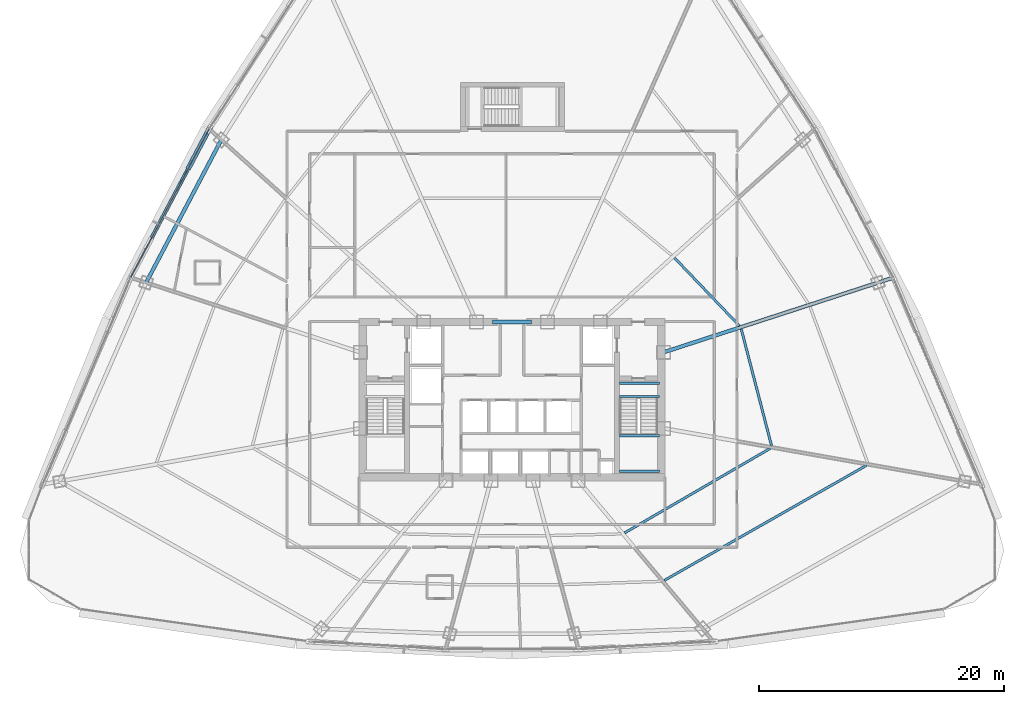
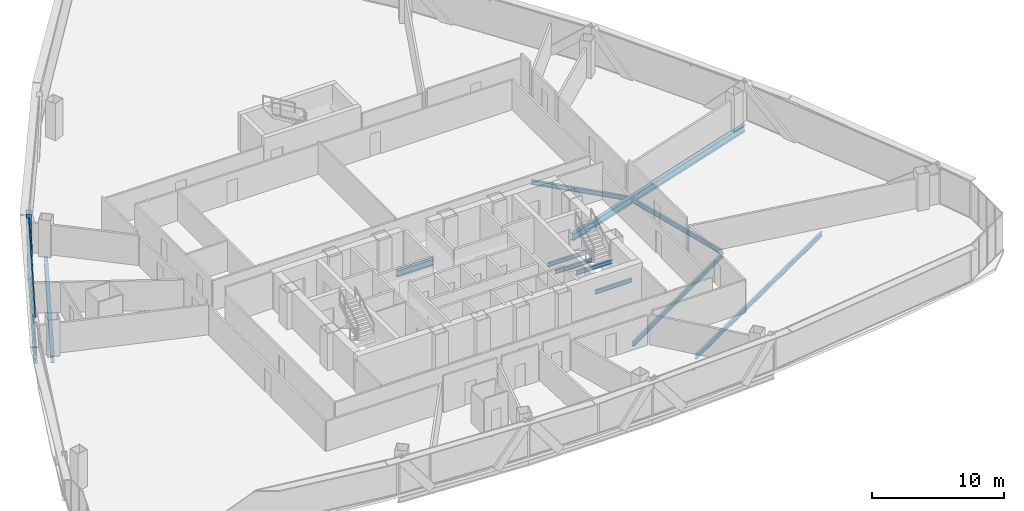
# One storey, part 17 of 41: 12 beams, 3 members, 1 element without a shape of its own.
"""IFC4 building model written with IfcOpenShell, lengths in metres."""

from ifc_helpers import new_model, si_unit, direction, frame, origin, origin_2d, place, context, subcontext, project, spatial, hollow_rectangle, i_section, extrude, source, transform, mapped, material, layer, layer_set, material_profile, profile_set, type_object, element, aggregate, save


model = new_model("IFC4")

# Units and contexts
model_context = context("Model", 3, precision=1e-05, world=origin(), true_north=direction((0.0, 1.0)))
body_context = subcontext(model_context, "Body", "Model", "MODEL_VIEW")
ifc_project = project(units=[si_unit("LENGTHUNIT", "METRE"), si_unit("AREAUNIT", "SQUARE_METRE"), si_unit("VOLUMEUNIT", "CUBIC_METRE"), si_unit("PLANEANGLEUNIT", "RADIAN"), si_unit("MASSUNIT", "GRAM", prefix="KILO"), si_unit("THERMODYNAMICTEMPERATUREUNIT", "KELVIN"), si_unit("POWERUNIT", "WATT")], contexts=[model_context])

# Site, building, storey
site_placement = place(None, origin())
site = spatial("IfcSite", under=ifc_project, at=site_placement, CompositionType="ELEMENT")
building_placement = place(site_placement, origin())
building = spatial("IfcBuilding", under=site, at=building_placement, Name="Yunzhuo Pagoda Commons", CompositionType="ELEMENT")
storey_placement = place(building_placement, frame((0.0, 0.0, 155.590087890625)))
storey = spatial("IfcBuildingStorey", under=building, at=storey_placement, Name="L39", CompositionType="ELEMENT", Elevation=155.590087890625)

# Beams
ifc_material_1 = material(Name="Structural steel Q355B", Category="steel")
ifc_material_profile_1 = material_profile(ifc_material_1, i_section(OverallWidth=0.175048828125, OverallDepth=0.35009765625, WebThickness=0.007080078125, FlangeThickness=0.010986328125, at=origin_2d()), Name="Structural steel Q355B")
ifc_profile_set_1 = profile_set([ifc_material_profile_1], Name="Structural steel Q355B")
beam_type_1 = type_object("IfcBeamType", Name="B-JS2 Joist HN 350x175x7x11", PredefinedType="JOIST", material=ifc_profile_set_1)
shared_shape_1 = source(origin(), body_context, "Body", "SweptSolid", [
    extrude(i_section(OverallWidth=0.175048828125, OverallDepth=0.35009765625, WebThickness=0.007080078125, FlangeThickness=0.010986328125, at=origin_2d()), origin(), (0.0, 0.0, 1.0), 3.25),
])
for number, where, z_axis, x_axis, name in (
    (1, (56.800048828125, 28.0, 1.46484375), (1.0, 0.0, 0.0), (0.0, 1.0, 0.0), "L39 ST2 landing support beam 45A"),
    (2, (56.800048828125, 30.89990234375, 1.46484375), (1.0, 0.0, 0.0), (0.0, 1.0, 0.0), "L39 ST2 landing support beam 45B"),
    (3, (56.800048828125, 34.10009765625, -0.375), (1.0, 0.0, 0.0), (0.0, 1.0, 0.0), "L39 ST2 landing support beam 143A"),
    (4, (56.800048828125, 35.199951171875, -0.375), (1.0, 0.0, 0.0), (0.0, 1.0, 0.0), "L39 ST2 landing support beam 143B"),
):
    element("IfcBeam", number, at=place(storey_placement, frame(where, z_axis=z_axis, x_axis=x_axis)), inside=storey, type_object=beam_type_1, Name=name, PredefinedType="JOIST", context=body_context, shape_type="MappedRepresentation", body=[
        mapped(shared_shape_1, transform((0.0, 0.0, 0.0), scale=1.0)),
    ])
ifc_material_2 = material(Name="Structural steel Q420B", Category="steel")
ifc_material_profile_2 = material_profile(ifc_material_2, i_section(OverallWidth=0.300048828125, OverallDepth=0.587890625, WebThickness=0.011962890625, FlangeThickness=0.02001953125, at=origin_2d()), Name="Structural steel Q420B")
ifc_profile_set_2 = profile_set([ifc_material_profile_2], Name="Structural steel Q420B")
beam_type_2 = type_object("IfcBeamType", Name="B-CPL Beam HM 588x300x12x20", PredefinedType="BEAM", material=ifc_profile_set_2)
shared_shape_2 = source(origin(), body_context, "Body", "SweptSolid", [
    extrude(i_section(OverallWidth=0.300048828125, OverallDepth=0.587890625, WebThickness=0.011962890625, FlangeThickness=0.02001953125, at=origin_2d()), origin(), (0.0, 0.0, 1.0), 3.2001953125),
])
beam_1_placement = place(storey_placement, frame((46.39990234375, 40.199951171875, -0.55419921875), z_axis=(1.0, 0.0, 0.0), x_axis=(0.0, 1.0, 0.0)))
element("IfcBeam", 5, at=beam_1_placement, inside=storey, type_object=beam_type_2, Name="L39 core coupling girder", PredefinedType="BEAM", context=body_context, shape_type="MappedRepresentation", body=[
    mapped(shared_shape_2, transform((0.0, 0.0, 0.0), scale=1.0)),
])
ifc_material_profile_3 = material_profile(ifc_material_1, i_section(OverallWidth=0.199951171875, OverallDepth=0.39990234375, WebThickness=0.008056640625, FlangeThickness=0.012939453125, at=origin_2d()), Name="Structural steel Q355B")
ifc_profile_set_3 = profile_set([ifc_material_profile_3], Name="Structural steel Q355B")
beam_type_3 = type_object("IfcBeamType", Name="B-JS1 Joist HN 400x200x8x13", PredefinedType="JOIST", material=ifc_profile_set_3)
shared_shape_3 = source(origin(), body_context, "Body", "SweptSolid", [
    extrude(i_section(OverallWidth=0.199951171875, OverallDepth=0.39990234375, WebThickness=0.008056640625, FlangeThickness=0.012939453125, at=origin_2d()), origin(), (0.0, 0.0, 1.0), 13.76416015625),
])
beam_2_placement = place(storey_placement, frame((57.2119140625, 22.96533203125, -0.460205078125), z_axis=(0.864967288101, 0.501828248025, 0.0), x_axis=(-0.501828248025, 0.864967288101, 0.0)))
element("IfcBeam", 6, at=beam_2_placement, inside=storey, type_object=beam_type_3, Name="L39 composite ring joist 1.4", PredefinedType="JOIST", context=body_context, shape_type="MappedRepresentation", body=[
    mapped(shared_shape_3, transform((0.0, 0.0, 0.0), scale=1.0)),
])
shared_shape_4 = source(origin(), body_context, "Body", "SweptSolid", [
    extrude(i_section(OverallWidth=0.199951171875, OverallDepth=0.39990234375, WebThickness=0.008056640625, FlangeThickness=0.012939453125, at=origin_2d()), origin(), (0.0, 0.0, 1.0), 19.007568359375),
])
beam_3_placement = place(storey_placement, frame((60.468017578125, 19.08447265625, -0.460205078125), z_axis=(0.869119947472, 0.494601371718, 0.0), x_axis=(-0.494601371718, 0.869119947472, 0.0)))
element("IfcBeam", 7, at=beam_3_placement, inside=storey, type_object=beam_type_3, Name="L39 composite ring joist 2.4", PredefinedType="JOIST", context=body_context, shape_type="MappedRepresentation", body=[
    mapped(shared_shape_4, transform((0.0, 0.0, 0.0), scale=1.0)),
])
shared_shape_5 = source(origin(), body_context, "Body", "SweptSolid", [
    extrude(i_section(OverallWidth=0.199951171875, OverallDepth=0.39990234375, WebThickness=0.008056640625, FlangeThickness=0.012939453125, at=origin_2d()), origin(), (0.0, 0.0, 1.0), 9.8330078125),
])
beam_4_placement = place(storey_placement, frame((69.215087890625, 30.10595703125, -0.460205078125), z_axis=(-0.251166367041, 0.967943932295, 0.0), x_axis=(-0.967943932295, -0.251166367041, 0.0)))
element("IfcBeam", 8, at=beam_4_placement, inside=storey, type_object=beam_type_3, Name="L39 composite ring joist 1.5", PredefinedType="JOIST", context=body_context, shape_type="MappedRepresentation", body=[
    mapped(shared_shape_5, transform((0.0, 0.0, 0.0), scale=1.0)),
])
ifc_material_profile_4 = material_profile(ifc_material_1, i_section(OverallWidth=0.300048828125, OverallDepth=0.64990234375, WebThickness=0.012939453125, FlangeThickness=0.02197265625, at=origin_2d()), Name="Structural steel Q355B")
ifc_profile_set_4 = profile_set([ifc_material_profile_4], Name="Structural steel Q355B")
beam_type_4 = type_object("IfcBeamType", Name="B-RG2 Beam HN 650x300x13x22", PredefinedType="BEAM", material=ifc_profile_set_4)
shared_shape_6 = source(origin(), body_context, "Body", "SweptSolid", [
    extrude(i_section(OverallWidth=0.300048828125, OverallDepth=0.64990234375, WebThickness=0.012939453125, FlangeThickness=0.02197265625, at=origin_2d()), origin(), (0.0, 0.0, 1.0), 13.198974609375),
])
beam_5_placement = place(storey_placement, frame((24.23388671875, 55.09912109375, -0.585205078125), z_axis=(-0.465885937554, -0.884844784801, 0.0), x_axis=(0.884844784801, -0.465885937554, 0.0)))
element("IfcBeam", 9, at=beam_5_placement, inside=storey, type_object=beam_type_4, Name="L39 column-ring beam 10", PredefinedType="BEAM", context=body_context, shape_type="MappedRepresentation", body=[
    mapped(shared_shape_6, transform((0.0, 0.0, 0.0), scale=1.0)),
])
shared_shape_7 = source(origin(), body_context, "Body", "SweptSolid", [
    extrude(i_section(OverallWidth=0.199951171875, OverallDepth=0.39990234375, WebThickness=0.008056640625, FlangeThickness=0.012939453125, at=origin_2d()), origin(), (0.0, 0.0, 1.0), 7.685546875),
])
beam_6_placement = place(storey_placement, frame((66.595703125, 39.892578125, -0.460205078125), z_axis=(-0.690882862648, 0.722966714378, 0.0), x_axis=(-0.722966714378, -0.690882862648, 0.0)))
element("IfcBeam", 10, at=beam_6_placement, inside=storey, type_object=beam_type_3, Name="L39 composite ring joist 1.6", PredefinedType="JOIST", context=body_context, shape_type="MappedRepresentation", body=[
    mapped(shared_shape_7, transform((0.0, 0.0, 0.0), scale=1.0)),
])
shared_shape_8 = source(origin(), body_context, "Body", "SweptSolid", [
    extrude(i_section(OverallWidth=0.300048828125, OverallDepth=0.64990234375, WebThickness=0.012939453125, FlangeThickness=0.02197265625, at=origin_2d()), origin(), (0.0, 0.0, 1.0), 19.594482421875),
])
beam_7_placement = place(storey_placement, frame((79.035400390625, 43.7841796875, -0.585205078125), z_axis=(-0.951054485202, -0.309023245365, 0.0), x_axis=(0.309023245365, -0.951054485202, 0.0)))
element("IfcBeam", 11, at=beam_7_placement, inside=storey, type_object=beam_type_4, Name="L39 radial floor girder F2C2", PredefinedType="BEAM", context=body_context, shape_type="MappedRepresentation", body=[
    mapped(shared_shape_8, transform((0.0, 0.0, 0.0), scale=1.0)),
])
ifc_material_profile_5 = material_profile(ifc_material_1, i_section(OverallWidth=0.300048828125, OverallDepth=0.488037109375, WebThickness=0.010986328125, FlangeThickness=0.01806640625, at=origin_2d()), Name="Structural steel Q355B")
ifc_profile_set_5 = profile_set([ifc_material_profile_5], Name="Structural steel Q355B")
beam_type_5 = type_object("IfcBeamType", Name="B-SP1 Beam HM 488x300x11x18", PredefinedType="BEAM", material=ifc_profile_set_5)
shared_shape_9 = source(origin(), body_context, "Body", "SweptSolid", [
    extrude(i_section(OverallWidth=0.300048828125, OverallDepth=0.488037109375, WebThickness=0.010986328125, FlangeThickness=0.01806640625, at=origin_2d()), origin(), (0.0, 0.0, 1.0), 13.75244140625),
])
beam_8_placement = place(storey_placement, frame((23.244384765625, 55.989990234375, -0.50390625), z_axis=(-0.467350934474, -0.884071888506, 0.0), x_axis=(0.884071888506, -0.467350934474, 0.0)))
element("IfcBeam", 12, at=beam_8_placement, inside=storey, type_object=beam_type_5, Name="L39 facade edge spandrel beam F3.2", PredefinedType="BEAM", context=body_context, shape_type="MappedRepresentation", body=[
    mapped(shared_shape_9, transform((0.0, 0.0, 0.0), scale=1.0)),
])

# Member
ifc_material_profile_6 = material_profile(ifc_material_1, hollow_rectangle(XDim=0.39990234375, YDim=0.719970703125, WallThickness=0.02392578125, at=origin_2d()), Name="Structural steel Q355B")
ifc_profile_set_6 = profile_set([ifc_material_profile_6], Name="Structural steel Q355B")
member_type_1 = type_object("IfcMemberType", Name="M-DL2 Brace BOX 720x400x24", PredefinedType="BRACE", material=ifc_profile_set_6)
shared_shape_10 = source(origin(), body_context, "Body", "SweptSolid", [
    extrude(hollow_rectangle(XDim=0.39990234375, YDim=0.719970703125, WallThickness=0.02392578125, at=origin_2d()), origin(), (0.0, 0.0, 1.0), 5.035888671875),
])
member_1_placement = place(storey_placement, frame((21.6376953125, 52.95068359375, -0.260009765625), z_axis=(0.31904433984, 0.603522714887, 0.730733222066), x_axis=(-0.884071048322, 0.467352523818, 0.0)))
element("IfcMember", 13, at=member_1_placement, inside=storey, type_object=member_type_1, Name="L39 facade diamond brace F3.2L", PredefinedType="BRACE", context=body_context, shape_type="MappedRepresentation", body=[
    mapped(shared_shape_10, transform((0.0, 0.0, 0.0), scale=1.0)),
])

# Curtain wall, members
ifc_material_3 = material(Name="Anodized aluminium 6063-T6", Category="aluminium")
ifc_layer = layer(ifc_material_3, 0.14990234375)
ifc_layer_set = layer_set([ifc_layer], Name="Anodized aluminium 6063-T6")
curtain_wall_type = type_object("IfcCurtainWallType", Name="CW-MID Mid-Zone Ribbon Curtain Wall", PredefinedType="NOTDEFINED", material=ifc_layer_set)
curtain_wall_placement = place(storey_placement, origin())
curtain_wall = element("IfcCurtainWall", 14, at=curtain_wall_placement, inside=storey, type_object=curtain_wall_type, Name="L39 curtain wall CW-L39-F3B3", PredefinedType="NOTDEFINED")
ifc_material_profile_7 = material_profile(ifc_material_3, hollow_rectangle(XDim=0.054931640625, YDim=0.1298828125, WallThickness=0.00341796875, at=origin_2d()), Name="Anodized aluminium 6063-T6")
ifc_profile_set_7 = profile_set([ifc_material_profile_7], Name="Anodized aluminium 6063-T6")
member_type_2 = type_object("IfcMemberType", Name="CW-MID-T Transom RHS 130x55x3.5", PredefinedType="USERDEFINED", material=ifc_profile_set_7)
shared_shape_11 = source(origin(), body_context, "Body", "SweptSolid", [
    extrude(hollow_rectangle(XDim=0.054931640625, YDim=0.1298828125, WallThickness=0.00341796875, at=origin_2d()), origin(), (0.0, 0.0, 1.0), 13.632568359375),
])
member_2_placement = place(storey_placement, frame((23.216552734375, 55.93701171875, 0.02734375), z_axis=(-0.467364316049, -0.884064814414, 0.0), x_axis=(0.884064814414, -0.467364316049, 0.0)))
member_2 = element("IfcMember", 15, at=member_2_placement, type_object=member_type_2, Name="CW transom 1.1", ObjectType="TRANSOM", PredefinedType="USERDEFINED", context=body_context, shape_type="MappedRepresentation", body=[
    mapped(shared_shape_11, transform((0.0, 0.0, 0.0), scale=1.0)),
])
member_3_placement = place(storey_placement, frame((23.216552734375, 55.93701171875, 3.392333984375), z_axis=(-0.467364316049, -0.884064814414, 0.0), x_axis=(0.884064814414, -0.467364316049, 0.0)))
member_3 = element("IfcMember", 16, at=member_3_placement, type_object=member_type_2, Name="CW transom 1.2", ObjectType="TRANSOM", PredefinedType="USERDEFINED", context=body_context, shape_type="MappedRepresentation", body=[
    mapped(shared_shape_11, transform((0.0, 0.0, 0.0), scale=1.0)),
])
aggregate(curtain_wall, [member_2, member_3])

save(model, "model.ifc")
